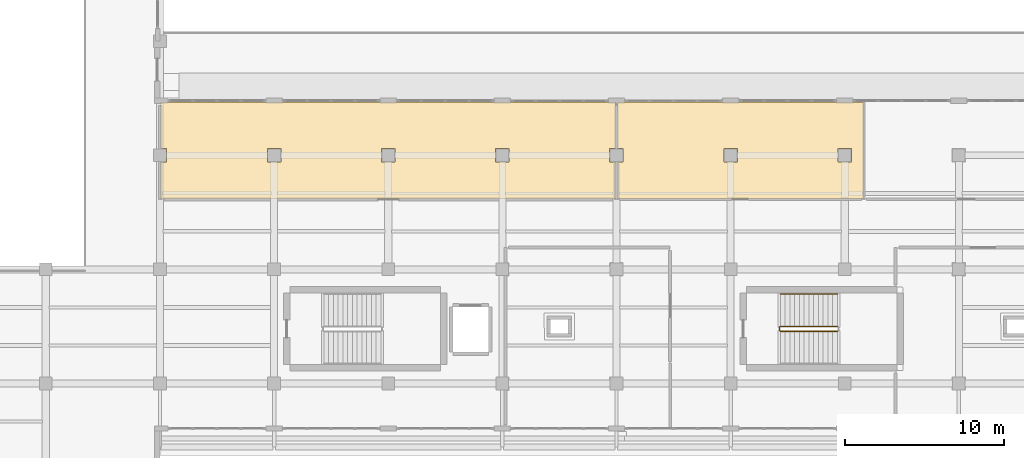
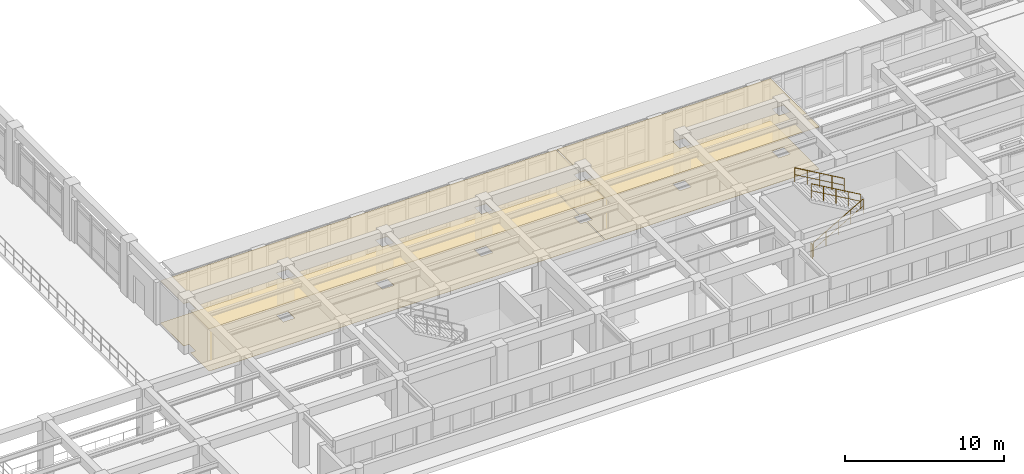
# One storey, part 56 of 67: 4 coverings, 4 railings.
"""IFC4 building model written with IfcOpenShell, lengths in metres."""

from ifc_helpers import new_model, si_unit, direction, frame, origin, origin_2d, place, context, subcontext, project, spatial, polyline, circle, outline, extrude, material, layer, layer_set, type_object, element, save


model = new_model("IFC4")

# Units and contexts
model_context = context("Model", 3, precision=1e-05, world=origin(), true_north=direction((0.0, 1.0)))
body_context = subcontext(model_context, "Body", "Model", "MODEL_VIEW")
ifc_project = project(units=[si_unit("LENGTHUNIT", "METRE"), si_unit("AREAUNIT", "SQUARE_METRE"), si_unit("VOLUMEUNIT", "CUBIC_METRE"), si_unit("PLANEANGLEUNIT", "RADIAN"), si_unit("MASSUNIT", "GRAM", prefix="KILO")], contexts=[model_context])

# Site, building, storey
site_placement = place(None, origin())
site = spatial("IfcSite", under=ifc_project, at=site_placement, CompositionType="ELEMENT")
building_placement = place(site_placement, origin())
building = spatial("IfcBuilding", under=site, at=building_placement, Name="Solenvale Faculty of Natural Sciences", CompositionType="ELEMENT")
storey_placement = place(building_placement, frame((0.0, 0.0, 13.5)))
storey = spatial("IfcBuildingStorey", under=building, at=storey_placement, Name="L03", CompositionType="ELEMENT", Elevation=13.5)

# Coverings
ifc_material_1 = material(Name="Acoustic mineral-timber ceiling", Category="wood")
ifc_layer_1 = layer(ifc_material_1, 0.02490234375)
ifc_layer_set_1 = layer_set([ifc_layer_1], Name="Acoustic mineral-timber ceiling")
covering_type_1 = type_object("IfcCoveringType", Name="COV-CEIL-AC25", PredefinedType="CEILING", material=ifc_layer_set_1)
covering_1_placement = place(storey_placement, frame((0.0, 0.0, 3.235107421875)))
element("IfcCovering", 1, at=covering_1_placement, inside=storey, type_object=covering_type_1, Name="L03 Terrace Ecology Laboratory Acoustic Ceiling", PredefinedType="CEILING", context=body_context, shape_type="SweptSolid", body=[
    extrude(outline(polyline([(86.35009765625, 39.360107421875), (86.37109375, 39.35107421875), (86.3798828125, 39.330078125), (86.3798828125, 36.451904296875), (86.35302734375, 36.425048828125), (85.97607421875, 36.4189453125), (85.97509765625, 35.5859375), (85.986083984375, 35.574951171875), (86.35302734375, 35.574951171875), (86.37890625, 35.551025390625), (86.3798828125, 33.27001953125), (86.35595703125, 33.240966796875), (57.669921875, 33.239990234375), (57.64111328125, 33.263916015625), (57.64111328125, 35.551025390625), (57.6669921875, 35.574951171875), (58.013916015625, 35.574951171875), (58.02490234375, 35.5859375), (58.02392578125, 36.4189453125), (57.6669921875, 36.425048828125), (57.639892578125, 36.451904296875), (57.639892578125, 39.330078125), (57.6640625, 39.35888671875), (86.35009765625, 39.360107421875)]), holes=[polyline([(78.785888671875, 36.425048828125), (78.77490234375, 36.4140625), (78.778076171875, 35.577880859375), (79.6220703125, 35.577880859375), (79.6220703125, 36.422119140625), (78.785888671875, 36.425048828125)]), polyline([(71.5859375, 36.425048828125), (71.574951171875, 36.4140625), (71.577880859375, 35.577880859375), (72.422119140625, 35.577880859375), (72.422119140625, 36.422119140625), (71.5859375, 36.425048828125)]), polyline([(64.385986328125, 36.425048828125), (64.375, 36.4140625), (64.3779296875, 35.577880859375), (65.221923828125, 35.577880859375), (65.221923828125, 36.422119140625), (64.385986328125, 36.425048828125)])]), origin(), (0.0, 0.0, 1.0), 0.02490234375),
])
covering_2_placement = place(storey_placement, frame((0.0, 0.0, 3.235107421875)))
element("IfcCovering", 2, at=covering_2_placement, inside=storey, type_object=covering_type_1, Name="L03 Graduate Research Office Acoustic Ceiling", PredefinedType="CEILING", context=body_context, shape_type="SweptSolid", body=[
    extrude(outline(polyline([(101.949951171875, 39.360107421875), (101.970947265625, 39.35107421875), (101.97998046875, 39.330078125), (101.97998046875, 33.27001953125), (101.9609375, 33.241943359375), (86.469970703125, 33.239990234375), (86.44189453125, 33.259033203125), (86.44091796875, 35.551025390625), (86.467041015625, 35.574951171875), (86.81396484375, 35.574951171875), (86.824951171875, 35.5859375), (86.823974609375, 36.4189453125), (86.467041015625, 36.425048828125), (86.43994140625, 36.451904296875), (86.43994140625, 39.330078125), (86.458984375, 39.35791015625), (101.949951171875, 39.360107421875)]), holes=[polyline([(100.385986328125, 36.425048828125), (100.375, 36.4140625), (100.3779296875, 35.577880859375), (101.221923828125, 35.577880859375), (101.221923828125, 36.422119140625), (100.385986328125, 36.425048828125)]), polyline([(93.18603515625, 36.425048828125), (93.175048828125, 36.4140625), (93.177978515625, 35.577880859375), (94.02197265625, 35.577880859375), (94.02197265625, 36.422119140625), (93.18603515625, 36.425048828125)])]), origin(), (0.0, 0.0, 1.0), 0.02490234375),
])
ifc_material_2 = material(Name="Polished slate terrazzo flooring", Category="masonry")
ifc_layer_2 = layer(ifc_material_2, 0.01806640625)
ifc_layer_set_2 = layer_set([ifc_layer_2], Name="Polished slate terrazzo flooring")
covering_type_2 = type_object("IfcCoveringType", Name="COV-FLR-TRZ18", PredefinedType="FLOORING", material=ifc_layer_set_2)
covering_3_placement = place(storey_placement, origin())
element("IfcCovering", 3, at=covering_3_placement, inside=storey, type_object=covering_type_2, Name="L03 Graduate Research Office Floor Finish", PredefinedType="FLOORING", context=body_context, shape_type="SweptSolid", body=[
    extrude(outline(polyline([(101.949951171875, 39.360107421875), (101.970947265625, 39.35107421875), (101.97998046875, 39.330078125), (101.97998046875, 33.27001953125), (101.9609375, 33.241943359375), (86.469970703125, 33.239990234375), (86.44189453125, 33.259033203125), (86.44091796875, 35.551025390625), (86.467041015625, 35.574951171875), (86.81396484375, 35.574951171875), (86.824951171875, 35.5859375), (86.823974609375, 36.4189453125), (86.467041015625, 36.425048828125), (86.43994140625, 36.451904296875), (86.43994140625, 39.330078125), (86.458984375, 39.35791015625), (101.949951171875, 39.360107421875)]), holes=[polyline([(100.385986328125, 36.425048828125), (100.375, 36.4140625), (100.3779296875, 35.577880859375), (101.221923828125, 35.577880859375), (101.221923828125, 36.422119140625), (100.385986328125, 36.425048828125)]), polyline([(93.18603515625, 36.425048828125), (93.175048828125, 36.4140625), (93.177978515625, 35.577880859375), (94.02197265625, 35.577880859375), (94.02197265625, 36.422119140625), (93.18603515625, 36.425048828125)])]), origin(), (0.0, 0.0, 1.0), 0.01806640625),
])
ifc_material_3 = material(Name="Seamless laboratory vinyl flooring")
ifc_layer_3 = layer(ifc_material_3, 0.008056640625)
ifc_layer_set_3 = layer_set([ifc_layer_3], Name="Seamless laboratory vinyl flooring")
covering_type_3 = type_object("IfcCoveringType", Name="COV-FLR-VNL08", PredefinedType="FLOORING", material=ifc_layer_set_3)
covering_4_placement = place(storey_placement, origin())
element("IfcCovering", 4, at=covering_4_placement, inside=storey, type_object=covering_type_3, Name="L03 Terrace Ecology Laboratory Floor Finish", PredefinedType="FLOORING", context=body_context, shape_type="SweptSolid", body=[
    extrude(outline(polyline([(86.35009765625, 39.360107421875), (86.37109375, 39.35107421875), (86.3798828125, 39.330078125), (86.3798828125, 36.451904296875), (86.35302734375, 36.425048828125), (85.97607421875, 36.4189453125), (85.97509765625, 35.5859375), (85.986083984375, 35.574951171875), (86.35302734375, 35.574951171875), (86.37890625, 35.551025390625), (86.3798828125, 33.27001953125), (86.35595703125, 33.240966796875), (57.669921875, 33.239990234375), (57.64111328125, 33.263916015625), (57.64111328125, 35.551025390625), (57.6669921875, 35.574951171875), (58.013916015625, 35.574951171875), (58.02490234375, 35.5859375), (58.02392578125, 36.4189453125), (57.6669921875, 36.425048828125), (57.639892578125, 36.451904296875), (57.639892578125, 39.330078125), (57.6640625, 39.35888671875), (86.35009765625, 39.360107421875)]), holes=[polyline([(78.785888671875, 36.425048828125), (78.77490234375, 36.4140625), (78.778076171875, 35.577880859375), (79.6220703125, 35.577880859375), (79.6220703125, 36.422119140625), (78.785888671875, 36.425048828125)]), polyline([(71.5859375, 36.425048828125), (71.574951171875, 36.4140625), (71.577880859375, 35.577880859375), (72.422119140625, 35.577880859375), (72.422119140625, 36.422119140625), (71.5859375, 36.425048828125)]), polyline([(64.385986328125, 36.425048828125), (64.375, 36.4140625), (64.3779296875, 35.577880859375), (65.221923828125, 35.577880859375), (65.221923828125, 36.422119140625), (64.385986328125, 36.425048828125)])]), origin(), (0.0, 0.0, 1.0), 0.008056640625),
])

# Railings
ifc_material_4 = material(Name="Stainless steel Grade 304", Category="steel")
railing_type_1 = type_object("IfcRailingType", Name="RL-GRD-1100", PredefinedType="GUARDRAIL", material=ifc_material_4)
railing_1_placement = place(storey_placement, frame((96.739990234375, 24.89990234375, 0.173095703125)))
element("IfcRailing", 5, at=railing_1_placement, inside=storey, type_object=railing_type_1, Name="L03 ST-07 stair guard 1", PredefinedType="GUARDRAIL", context=body_context, shape_type="SweptSolid", body=[
    extrude(circle(Radius=0.02392578125, at=origin_2d()), frame((0.0, 0.0, 1.09619140625), z_axis=(0.866193409371, 0.0, 0.499708892819), x_axis=(0.0, 1.0, 0.0)), (0.0, 0.0, 1.0), 4.15625),
    extrude(circle(Radius=0.01611328125, at=origin_2d()), frame((0.0, 0.0, 0.56005859375), z_axis=(0.866193409371, 0.0, 0.499708892819), x_axis=(0.0, 1.0, 0.0)), (0.0, 0.0, 1.0), 4.15625),
    extrude(circle(Radius=0.02099609375, at=origin_2d()), origin(), (0.0, 0.0, 1.0), 1.072021484375),
    extrude(circle(Radius=0.02099609375, at=origin_2d()), frame((0.89990234375, 0.0, 0.519287109375)), (0.0, 0.0, 1.0), 1.072021484375),
    extrude(circle(Radius=0.02099609375, at=origin_2d()), frame((1.800048828125, 0.0, 1.03857421875)), (0.0, 0.0, 1.0), 1.072021484375),
    extrude(circle(Radius=0.02099609375, at=origin_2d()), frame((2.7001953125, 0.0, 1.5576171875)), (0.0, 0.0, 1.0), 1.072021484375),
    extrude(circle(Radius=0.02099609375, at=origin_2d()), frame((3.60009765625, 0.0, 2.076904296875)), (0.0, 0.0, 1.0), 1.072021484375),
])
railing_2_placement = place(storey_placement, frame((100.340087890625, 25.199951171875, 2.423095703125)))
element("IfcRailing", 6, at=railing_2_placement, inside=storey, type_object=railing_type_1, Name="L03 ST-07 stair guard 3", PredefinedType="GUARDRAIL", context=body_context, shape_type="SweptSolid", body=[
    extrude(circle(Radius=0.02392578125, at=origin_2d()), frame((0.0, 0.0, 1.09619140625), z_axis=(-0.866193409371, 0.0, 0.499708892819), x_axis=(0.0, -1.0, 0.0)), (0.0, 0.0, 1.0), 4.15625),
    extrude(circle(Radius=0.01611328125, at=origin_2d()), frame((0.0, 0.0, 0.56005859375), z_axis=(-0.866193409371, 0.0, 0.499708892819), x_axis=(0.0, -1.0, 0.0)), (0.0, 0.0, 1.0), 4.15625),
    extrude(circle(Radius=0.02099609375, at=origin_2d()), origin(), (0.0, 0.0, 1.0), 1.072021484375),
    extrude(circle(Radius=0.02099609375, at=origin_2d()), frame((-0.89990234375, 0.0, 0.519287109375)), (0.0, 0.0, 1.0), 1.072021484375),
    extrude(circle(Radius=0.02099609375, at=origin_2d()), frame((-1.800048828125, 0.0, 1.03857421875)), (0.0, 0.0, 1.0), 1.072021484375),
    extrude(circle(Radius=0.02099609375, at=origin_2d()), frame((-2.7001953125, 0.0, 1.5576171875)), (0.0, 0.0, 1.0), 1.072021484375),
    extrude(circle(Radius=0.02099609375, at=origin_2d()), frame((-3.60009765625, 0.0, 2.076904296875)), (0.0, 0.0, 1.0), 1.072021484375),
])
railing_3_placement = place(storey_placement, frame((96.68994140625, 24.949951171875, 0.0)))
element("IfcRailing", 7, at=railing_3_placement, inside=storey, type_object=railing_type_1, Name="L03 ST-07 stair guard 4", PredefinedType="GUARDRAIL", context=body_context, shape_type="SweptSolid", body=[
    extrude(circle(Radius=0.02392578125, at=origin_2d()), frame((0.0, 0.0, 1.09619140625), z_axis=(0.0, 1.0, 0.0), x_axis=(-1.0, 0.0, 0.0)), (0.0, 0.0, 1.0), 0.199951171875),
    extrude(circle(Radius=0.01611328125, at=origin_2d()), frame((0.0, 0.0, 0.56005859375), z_axis=(0.0, 1.0, 0.0), x_axis=(-1.0, 0.0, 0.0)), (0.0, 0.0, 1.0), 0.199951171875),
    extrude(circle(Radius=0.02099609375, at=origin_2d()), origin(), (0.0, 0.0, 1.0), 1.072021484375),
    extrude(circle(Radius=0.02099609375, at=origin_2d()), frame((0.0, 0.199951171875, 0.0)), (0.0, 0.0, 1.0), 1.072021484375),
])
railing_type_2 = type_object("IfcRailingType", Name="RL-HND-900", PredefinedType="HANDRAIL", material=ifc_material_4)
railing_4_placement = place(storey_placement, frame((100.340087890625, 27.25, 2.423095703125)))
element("IfcRailing", 8, at=railing_4_placement, inside=storey, type_object=railing_type_2, Name="L03 ST-07 stair handrail 2", PredefinedType="HANDRAIL", context=body_context, shape_type="SweptSolid", body=[
    extrude(circle(Radius=0.02392578125, at=origin_2d()), frame((0.0, 0.0, 1.0732421875), z_axis=(-0.866193409371, 0.0, 0.499708892819), x_axis=(0.0, -1.0, 0.0)), (0.0, 0.0, 1.0), 4.15625),
    extrude(circle(Radius=0.01611328125, at=origin_2d()), frame((0.0, 0.0, 0.548583984375), z_axis=(-0.866193409371, 0.0, 0.499708892819), x_axis=(0.0, -1.0, 0.0)), (0.0, 0.0, 1.0), 4.15625),
    extrude(circle(Radius=0.02099609375, at=origin_2d()), origin(), (0.0, 0.0, 1.0), 1.049072265625),
    extrude(circle(Radius=0.02099609375, at=origin_2d()), frame((-0.89990234375, 0.0, 0.519287109375)), (0.0, 0.0, 1.0), 1.049072265625),
    extrude(circle(Radius=0.02099609375, at=origin_2d()), frame((-1.800048828125, 0.0, 1.03857421875)), (0.0, 0.0, 1.0), 1.049072265625),
    extrude(circle(Radius=0.02099609375, at=origin_2d()), frame((-2.7001953125, 0.0, 1.5576171875)), (0.0, 0.0, 1.0), 1.049072265625),
    extrude(circle(Radius=0.02099609375, at=origin_2d()), frame((-3.60009765625, 0.0, 2.076904296875)), (0.0, 0.0, 1.0), 1.049072265625),
])

save(model, "model.ifc")
